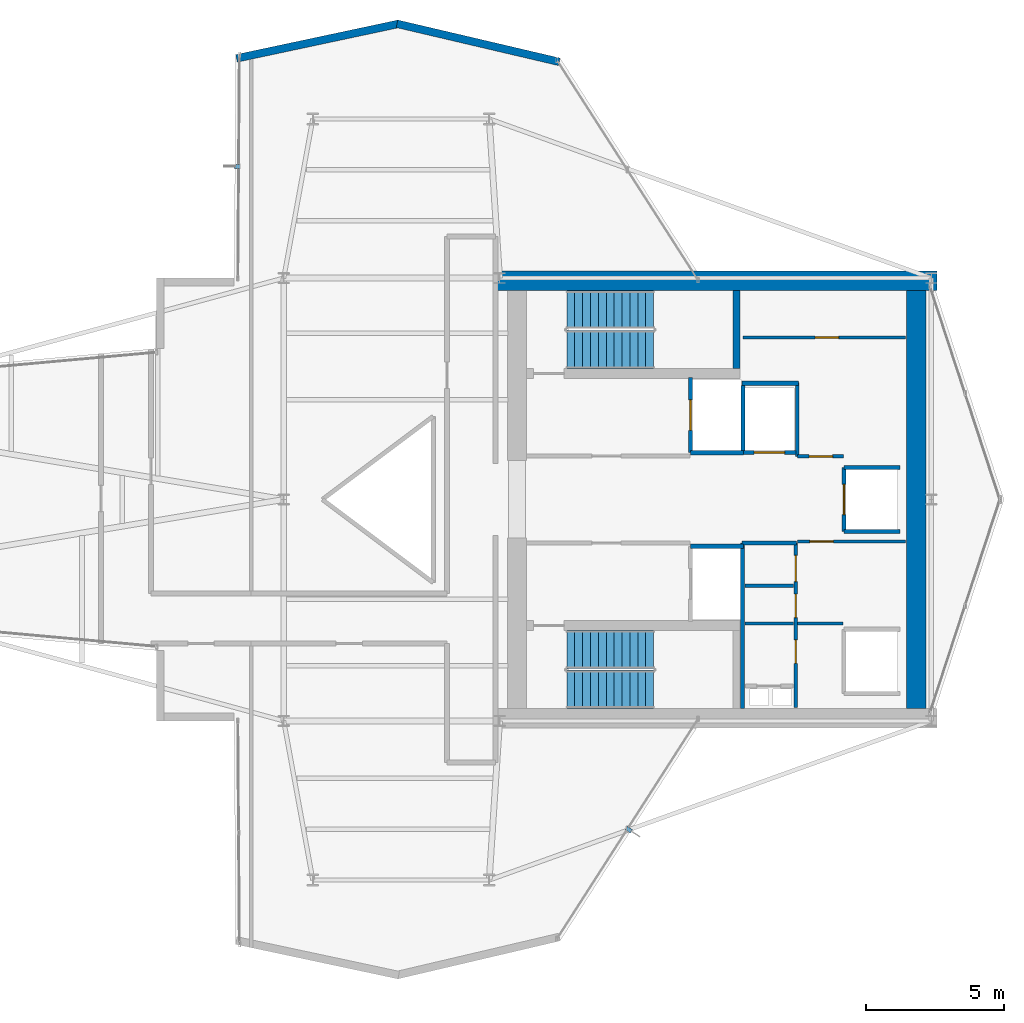
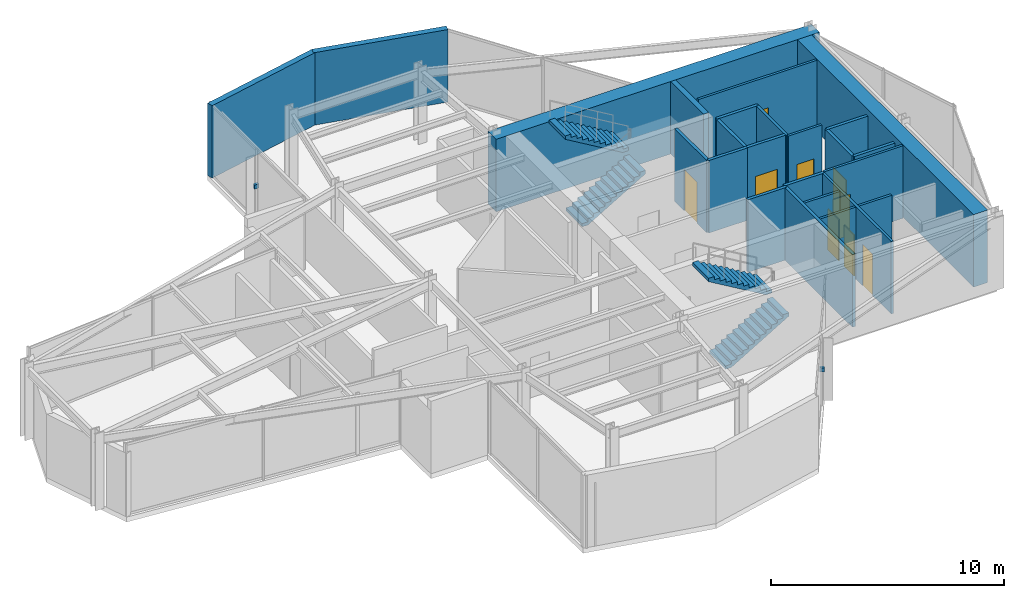
# One storey, part 22 of 23: 24 walls, 9 doors, 4 stair flights, 2 discrete accessories, 9 openings, 2 elements without a shape of their own.
"""IFC4 building model written with IfcOpenShell, lengths in metres."""

from ifc_helpers import new_model, si_unit, direction, frame, frame_2d, origin, origin_2d, place, context, subcontext, project, spatial, polyline, rectangle, outline, extrude, material, layer, layer_set, type_object, element, fill, aggregate, save


model = new_model("IFC4")

# Units and contexts
model_context = context("Model", 3, precision=1e-05, world=origin(), true_north=direction((0.0, 1.0)))
body_context = subcontext(model_context, "Body", "Model", "MODEL_VIEW")
ifc_project = project(units=[si_unit("LENGTHUNIT", "METRE"), si_unit("AREAUNIT", "SQUARE_METRE"), si_unit("VOLUMEUNIT", "CUBIC_METRE"), si_unit("PLANEANGLEUNIT", "RADIAN"), si_unit("MASSUNIT", "GRAM", prefix="KILO")], contexts=[model_context])

# Site, building, storey
site_placement = place(None, origin())
site = spatial("IfcSite", under=ifc_project, at=site_placement, CompositionType="ELEMENT")
building_placement = place(site_placement, origin())
building = spatial("IfcBuilding", under=site, at=building_placement, Name="Veymaron Broadcast Tower", CompositionType="ELEMENT")
storey_placement = place(building_placement, frame((0.0, 0.0, 195.89990234375)))
storey = spatial("IfcBuildingStorey", under=building, at=storey_placement, Name="L45", CompositionType="ELEMENT", Elevation=195.89990234375)

# Walls
ifc_material_1 = material(Name="Precast concrete C40/50", Category="concrete")
ifc_layer_1 = layer(ifc_material_1, 0.280029296875)
ifc_layer_set_1 = layer_set([ifc_layer_1], Name="Precast concrete C40/50")
wall_type_1 = type_object("IfcWallType", Name="WALL-EXT-280", PredefinedType="STANDARD", material=ifc_layer_set_1)
wall_1_placement = place(storey_placement, frame((41.15478515625, 39.813720703125, 0.0), z_axis=(0.0, 0.0, 1.0), x_axis=(-0.973574347184, 0.228370292517, 0.0)))
element("IfcWall", 1, at=wall_1_placement, inside=storey, type_object=wall_type_1, Name="L45 notched corner facade pier 6-1", PredefinedType="STANDARD", context=body_context, shape_type="SweptSolid", body=[
    extrude(rectangle(XDim=6.02099609375, YDim=0.280029296875, at=frame_2d((3.010498046875, 0.0))), origin(), (0.0, 0.0, 1.0), 3.7900390625),
])
wall_2_placement = place(storey_placement, frame((35.354248046875, 41.18798828125, 0.0), z_axis=(0.0, 0.0, 1.0), x_axis=(-0.978010564176, -0.208555355626, 0.0)))
element("IfcWall", 2, at=wall_2_placement, inside=storey, type_object=wall_type_1, Name="L45 notched corner facade pier 7-1", PredefinedType="STANDARD", context=body_context, shape_type="SweptSolid", body=[
    extrude(rectangle(XDim=5.99365234375, YDim=0.280029296875, at=frame_2d((2.996826171875, 0.0))), origin(), (0.0, 0.0, 1.0), 3.7900390625),
])

# Wall, opening, door
ifc_material_2 = material(Name="Gypsum fireboard and steel stud framing", Category="steel")
ifc_layer_2 = layer(ifc_material_2, 0.14990234375)
ifc_layer_set_2 = layer_set([ifc_layer_2], Name="Gypsum fireboard and steel stud framing")
wall_type_2 = type_object("IfcWallType", Name="WALL-FIRE-150", PredefinedType="PARTITIONING", material=ifc_layer_set_2)
wall_3_placement = place(storey_placement, frame((45.89501953125, 25.68994140625, 0.0), z_axis=(0.0, 0.0, 1.0), x_axis=(0.0, 1.0, 0.0)))
wall_3 = element("IfcWall", 3, at=wall_3_placement, inside=storey, type_object=wall_type_2, Name="L45 partition IW-L45-SHW-FFL-1", PredefinedType="PARTITIONING", context=body_context, shape_type="SweptSolid", body=[
    extrude(rectangle(XDim=2.719970703125, YDim=0.14990234375, at=frame_2d((1.35986328125, 0.0))), origin(), (0.0, 0.0, 1.0), 3.7900390625),
])
opening_1_placement = place(wall_3_placement, frame((0.81005859375, 0.0, 0.0)))
opening_1 = element("IfcOpeningElement", 4, at=opening_1_placement, cuts=wall_3, Name="Opening LD", PredefinedType="OPENING", context=body_context, shape_type="SweptSolid", body=[
    extrude(rectangle(XDim=1.10009765625, YDim=2.14990234375, at=frame_2d((0.550048828125, 1.074951171875))), frame((0.0, 0.0849609375, 0.0), z_axis=(0.0, -1.0, 0.0), x_axis=(1.0, 0.0, 0.0)), (0.0, 0.0, 1.0), 0.169921875),
])
ifc_material_3 = material(Name="Brushed stainless steel AISI 304", Category="steel")
door_type_1 = type_object("IfcDoorType", Name="DOOR-LIFT-1100", OperationType="DOUBLE_DOOR_SLIDING", PredefinedType="DOOR", material=ifc_material_3)
door_1_placement = place(opening_1_placement, frame((1.10009765625, 0.0, 0.0), z_axis=(0.0, 0.0, 1.0), x_axis=(-1.0, 0.0, 0.0)))
door_1 = element("IfcDoor", 5, at=door_1_placement, inside=storey, type_object=door_type_1, Name="L45 door LD-L45-FFL-1", OperationType="DOUBLE_DOOR_SLIDING", OverallHeight=2.14990234375, OverallWidth=1.10009765625, PredefinedType="DOOR", context=body_context, shape_type="SweptSolid", body=[
    extrude(rectangle(XDim=1.10009765625, YDim=2.14990234375, at=frame_2d((0.550048828125, 1.074951171875))), frame((0.0, 0.02490234375, 0.0), z_axis=(0.0, -1.0, 0.0), x_axis=(1.0, 0.0, 0.0)), (0.0, 0.0, 1.0), 0.050048828125),
])
fill(opening_1, door_1)

# Walls
for number, where, z_axis, x_axis, name in (
    (6, (45.89501953125, 25.68994140625, 0.0), (0.0, 0.0, 1.0), (1.0, 0.0, 0.0), "L45 partition IW-L45-SHS-FFL-1"),
    (7, (45.89501953125, 22.31005859375, 0.0), (0.0, 0.0, 1.0), (1.0, 0.0, 0.0), "L45 partition IW-L45-SHN-FFL-2"),
):
    element("IfcWall", number, at=place(storey_placement, frame(where, z_axis=z_axis, x_axis=x_axis)), inside=storey, type_object=wall_type_2, Name=name, PredefinedType="PARTITIONING", context=body_context, shape_type="SweptSolid", body=[
        extrude(rectangle(XDim=1.9150390625, YDim=0.14990234375, at=frame_2d((0.95751953125, 0.0))), origin(), (0.0, 0.0, 1.0), 3.7900390625),
    ])

# Wall, opening, door
wall_4_placement = place(storey_placement, frame((47.7900390625, 25.695068359375, 0.0), z_axis=(0.0, 0.0, 1.0), x_axis=(1.0, 0.0, 0.0)))
wall_4 = element("IfcWall", 8, at=wall_4_placement, inside=storey, type_object=wall_type_2, Name="L45 partition IW-L45-SHS-SL-1", PredefinedType="PARTITIONING", context=body_context, shape_type="SweptSolid", body=[
    extrude(rectangle(XDim=1.919921875, YDim=0.14990234375, at=frame_2d((0.9599609375, 0.0))), origin(), (0.0, 0.0, 1.0), 3.7900390625),
])
opening_2_placement = place(wall_4_placement, frame((0.409912109375, 0.0, 0.0)))
opening_2 = element("IfcOpeningElement", 9, at=opening_2_placement, cuts=wall_4, Name="Opening LD", PredefinedType="OPENING", context=body_context, shape_type="SweptSolid", body=[
    extrude(rectangle(XDim=1.10009765625, YDim=2.14990234375, at=frame_2d((0.550048828125, 1.074951171875))), frame((0.0, 0.0849609375, 0.0), z_axis=(0.0, -1.0, 0.0), x_axis=(1.0, 0.0, 0.0)), (0.0, 0.0, 1.0), 0.169921875),
])
door_2_placement = place(opening_2_placement, frame((1.10009765625, 0.0, 0.0), z_axis=(0.0, 0.0, 1.0), x_axis=(-1.0, 0.0, 0.0)))
door_2 = element("IfcDoor", 10, at=door_2_placement, inside=storey, type_object=door_type_1, Name="L45 door LD-L45-SL-1", OperationType="DOUBLE_DOOR_SLIDING", OverallHeight=2.14990234375, OverallWidth=1.10009765625, PredefinedType="DOOR", context=body_context, shape_type="SweptSolid", body=[
    extrude(rectangle(XDim=1.10009765625, YDim=2.14990234375, at=frame_2d((0.550048828125, 1.074951171875))), frame((0.0, 0.02490234375, 0.0), z_axis=(0.0, -1.0, 0.0), x_axis=(1.0, 0.0, 0.0)), (0.0, 0.0, 1.0), 0.050048828125),
])
fill(opening_2, door_2)

# Wall
wall_5_placement = place(storey_placement, frame((47.7900390625, 25.695068359375, 0.0), z_axis=(0.0, 0.0, 1.0), x_axis=(0.0, 1.0, 0.0)))
element("IfcWall", 11, at=wall_5_placement, inside=storey, type_object=wall_type_2, Name="L45 partition IW-L45-SHW-SL-1", PredefinedType="PARTITIONING", context=body_context, shape_type="SweptSolid", body=[
    extrude(rectangle(XDim=2.4150390625, YDim=0.14990234375, at=frame_2d((1.20751953125, 0.0))), origin(), (0.0, 0.0, 1.0), 3.7900390625),
])

# Wall, opening, door
wall_6_placement = place(storey_placement, frame((51.445068359375, 22.840087890625, 0.0), z_axis=(0.0, 0.0, 1.0), x_axis=(0.0, 1.0, 0.0)))
wall_6 = element("IfcWall", 12, at=wall_6_placement, inside=storey, type_object=wall_type_2, Name="L45 partition IW-L45-SHW-PM3", PredefinedType="PARTITIONING", context=body_context, shape_type="SweptSolid", body=[
    extrude(rectangle(XDim=2.31982421875, YDim=0.14990234375, at=frame_2d((1.159912109375, 0.0))), origin(), (0.0, 0.0, 1.0), 3.7900390625),
])
opening_3_placement = place(wall_6_placement, frame((0.610107421875, 0.0, 0.0)))
opening_3 = element("IfcOpeningElement", 13, at=opening_3_placement, cuts=wall_6, Name="Opening LD", PredefinedType="OPENING", context=body_context, shape_type="SweptSolid", body=[
    extrude(rectangle(XDim=1.10009765625, YDim=2.14990234375, at=frame_2d((0.550048828125, 1.074951171875))), frame((0.0, 0.0849609375, 0.0), z_axis=(0.0, -1.0, 0.0), x_axis=(1.0, 0.0, 0.0)), (0.0, 0.0, 1.0), 0.169921875),
])
door_3_placement = place(opening_3_placement, frame((1.10009765625, 0.0, 0.0), z_axis=(0.0, 0.0, 1.0), x_axis=(-1.0, 0.0, 0.0)))
door_3 = element("IfcDoor", 14, at=door_3_placement, inside=storey, type_object=door_type_1, Name="L45 door LD-L45-PM3", OperationType="DOUBLE_DOOR_SLIDING", OverallHeight=2.14990234375, OverallWidth=1.10009765625, PredefinedType="DOOR", context=body_context, shape_type="SweptSolid", body=[
    extrude(rectangle(XDim=1.10009765625, YDim=2.14990234375, at=frame_2d((0.550048828125, 1.074951171875))), frame((0.0, 0.02490234375, 0.0), z_axis=(0.0, -1.0, 0.0), x_axis=(1.0, 0.0, 0.0)), (0.0, 0.0, 1.0), 0.050048828125),
])
fill(opening_3, door_3)

# Walls
for number, where, z_axis, x_axis, name in (
    (15, (51.445068359375, 22.840087890625, 0.0), (0.0, 0.0, 1.0), (1.0, 0.0, 0.0), "L45 partition IW-L45-SHS-PM3"),
    (16, (51.445068359375, 25.159912109375, 0.0), (0.0, 0.0, 1.0), (1.0, 0.0, 0.0), "L45 partition IW-L45-SHN-PM3"),
):
    element("IfcWall", number, at=place(storey_placement, frame(where, z_axis=z_axis, x_axis=x_axis)), inside=storey, type_object=wall_type_2, Name=name, PredefinedType="PARTITIONING", context=body_context, shape_type="SweptSolid", body=[
        extrude(rectangle(XDim=2.014892578125, YDim=0.14990234375, at=frame_2d((1.00732421875, 0.0))), origin(), (0.0, 0.0, 1.0), 3.7900390625),
    ])
wall_7_placement = place(storey_placement, frame((47.760009765625, 22.425048828125, 0.0), z_axis=(0.0, 0.0, 1.0), x_axis=(1.0, 0.0, 0.0)))
element("IfcWall", 17, at=wall_7_placement, inside=storey, type_object=wall_type_2, Name="L45 partition IW-L45-SM-N", PredefinedType="PARTITIONING", context=body_context, shape_type="SweptSolid", body=[
    extrude(rectangle(XDim=1.9599609375, YDim=0.14990234375, at=frame_2d((0.97998046875, 0.0))), origin(), (0.0, 0.0, 1.0), 3.7900390625),
])
wall_8_placement = place(storey_placement, frame((47.780029296875, 16.449951171875, 0.0), z_axis=(0.0, 0.0, 1.0), x_axis=(0.0, 1.0, 0.0)))
element("IfcWall", 18, at=wall_8_placement, inside=storey, type_object=wall_type_2, Name="L45 partition IW-L45-SM-W", PredefinedType="PARTITIONING", context=body_context, shape_type="SweptSolid", body=[
    extrude(rectangle(XDim=5.97509765625, YDim=0.14990234375, at=frame_2d((2.987548828125, 0.0))), origin(), (0.0, 0.0, 1.0), 3.7900390625),
])
wall_9_placement = place(storey_placement, frame((47.760009765625, 28.199951171875, 0.0), z_axis=(0.0, 0.0, 1.0), x_axis=(1.0, 0.0, 0.0)))
element("IfcWall", 19, at=wall_9_placement, inside=storey, type_object=wall_type_2, Name="L45 partition IW-L45-F2-SW", PredefinedType="PARTITIONING", context=body_context, shape_type="SweptSolid", body=[
    extrude(rectangle(XDim=2.0400390625, YDim=0.14990234375, at=frame_2d((1.02001953125, 0.0))), origin(), (0.0, 0.0, 1.0), 3.7900390625),
])
ifc_material_4 = material(Name="Acoustic gypsum board and galvanized stud", Category="gypsum")
ifc_layer_3 = layer(ifc_material_4, 0.1201171875)
ifc_layer_set_3 = layer_set([ifc_layer_3], Name="Acoustic gypsum board and galvanized stud")
wall_type_3 = type_object("IfcWallType", Name="WALL-PART-120", PredefinedType="PARTITIONING", material=ifc_layer_set_3)
for number, where, z_axis, x_axis, name in (
    (20, (47.860107421875, 19.52001953125, 0.0), (0.0, 0.0, 1.0), (1.0, 0.0, 0.0), "L45 partition IW-L45-SM-D1"),
    (21, (47.860107421875, 20.8798828125, 0.0), (0.0, 0.0, 1.0), (1.0, 0.0, 0.0), "L45 partition IW-L45-SM-D2"),
):
    element("IfcWall", number, at=place(storey_placement, frame(where, z_axis=z_axis, x_axis=x_axis)), inside=storey, type_object=wall_type_3, Name=name, PredefinedType="PARTITIONING", context=body_context, shape_type="SweptSolid", body=[
        extrude(rectangle(XDim=1.760009765625, YDim=0.1201171875, at=frame_2d((0.8798828125, 0.0))), origin(), (0.0, 0.0, 1.0), 3.7900390625),
    ])

# Wall, openings, doors
wall_10_placement = place(storey_placement, frame((49.699951171875, 16.47998046875, 0.0), z_axis=(0.0, 0.0, 1.0), x_axis=(0.0, 1.0, 0.0)))
wall_10 = element("IfcWall", 22, at=wall_10_placement, inside=storey, type_object=wall_type_3, Name="L45 partition IW-L45-SM-E", PredefinedType="PARTITIONING", context=body_context, shape_type="SweptSolid", body=[
    extrude(rectangle(XDim=5.945068359375, YDim=0.1201171875, at=frame_2d((2.97265625, 0.0))), origin(), (0.0, 0.0, 1.0), 3.7900390625),
])
opening_4_placement = place(wall_10_placement, frame((1.60009765625, 0.0, 0.0)))
opening_4 = element("IfcOpeningElement", 23, at=opening_4_placement, cuts=wall_10, Name="Opening ID-WC1", PredefinedType="OPENING", context=body_context, shape_type="SweptSolid", body=[
    extrude(rectangle(XDim=0.85009765625, YDim=2.14990234375, at=frame_2d((0.425048828125, 1.074951171875))), frame((0.0, 0.070068359375, 0.0), z_axis=(0.0, -1.0, 0.0), x_axis=(1.0, 0.0, 0.0)), (0.0, 0.0, 1.0), 0.14013671875),
])
opening_5_placement = place(wall_10_placement, frame((3.25, 0.0, 0.0)))
opening_5 = element("IfcOpeningElement", 24, at=opening_5_placement, cuts=wall_10, Name="Opening ID-WC1", PredefinedType="OPENING", context=body_context, shape_type="SweptSolid", body=[
    extrude(rectangle(XDim=0.85009765625, YDim=2.14990234375, at=frame_2d((0.425048828125, 1.074951171875))), frame((0.0, 0.070068359375, 0.0), z_axis=(0.0, -1.0, 0.0), x_axis=(1.0, 0.0, 0.0)), (0.0, 0.0, 1.0), 0.14013671875),
])
opening_6_placement = place(wall_10_placement, frame((4.550048828125, 0.0, 0.0)))
opening_6 = element("IfcOpeningElement", 25, at=opening_6_placement, cuts=wall_10, Name="Opening ID-RM1", PredefinedType="OPENING", context=body_context, shape_type="SweptSolid", body=[
    extrude(rectangle(XDim=0.949951171875, YDim=2.14990234375, at=frame_2d((0.47509765625, 1.074951171875))), frame((0.0, 0.070068359375, 0.0), z_axis=(0.0, -1.0, 0.0), x_axis=(1.0, 0.0, 0.0)), (0.0, 0.0, 1.0), 0.14013671875),
])
ifc_material_5 = material(Name="Moisture-resistant high-pressure laminate timber", Category="wood")
door_type_2 = type_object("IfcDoorType", Name="DOOR-INT-850", OperationType="NOTDEFINED", PredefinedType="DOOR", material=ifc_material_5)
door_4_placement = place(opening_4_placement, frame((0.85009765625, 0.0, 0.0), z_axis=(0.0, 0.0, 1.0), x_axis=(-1.0, 0.0, 0.0)))
door_4 = element("IfcDoor", 26, at=door_4_placement, inside=storey, type_object=door_type_2, Name="L45 door DR-L45-JST", OperationType="SINGLE_SWING_LEFT", OverallHeight=2.14990234375, OverallWidth=0.85009765625, PredefinedType="DOOR", context=body_context, shape_type="SweptSolid", body=[
    extrude(rectangle(XDim=0.85009765625, YDim=2.14990234375, at=frame_2d((0.425048828125, 1.074951171875))), frame((0.0, 0.02490234375, 0.0), z_axis=(0.0, -1.0, 0.0), x_axis=(1.0, 0.0, 0.0)), (0.0, 0.0, 1.0), 0.050048828125),
])
fill(opening_4, door_4)
door_5_placement = place(opening_5_placement, frame((0.85009765625, 0.0, 0.0), z_axis=(0.0, 0.0, 1.0), x_axis=(-1.0, 0.0, 0.0)))
door_5 = element("IfcDoor", 27, at=door_5_placement, inside=storey, type_object=door_type_2, Name="L45 door DR-L45-SWC", OperationType="SINGLE_SWING_RIGHT", OverallHeight=2.14990234375, OverallWidth=0.85009765625, PredefinedType="DOOR", context=body_context, shape_type="SweptSolid", body=[
    extrude(rectangle(XDim=0.85009765625, YDim=2.14990234375, at=frame_2d((0.425048828125, 1.074951171875))), frame((0.0, 0.02490234375, 0.0), z_axis=(0.0, -1.0, 0.0), x_axis=(1.0, 0.0, 0.0)), (0.0, 0.0, 1.0), 0.050048828125),
])
fill(opening_5, door_5)
ifc_material_6 = material(Name="Acoustic solid-core European oak veneer timber", Category="wood")
door_type_3 = type_object("IfcDoorType", Name="DOOR-INT-950", OperationType="NOTDEFINED", PredefinedType="DOOR", material=ifc_material_6)
door_6_placement = place(opening_6_placement, frame((0.949951171875, 0.0, 0.0), z_axis=(0.0, 0.0, 1.0), x_axis=(-1.0, 0.0, 0.0)))
door_6 = element("IfcDoor", 28, at=door_6_placement, inside=storey, type_object=door_type_3, Name="L45 door DR-L45-AWC", OperationType="SINGLE_SWING_LEFT", OverallHeight=2.14990234375, OverallWidth=0.949951171875, PredefinedType="DOOR", context=body_context, shape_type="SweptSolid", body=[
    extrude(rectangle(XDim=0.949951171875, YDim=2.14990234375, at=frame_2d((0.47509765625, 1.074951171875))), frame((0.0, 0.02490234375, 0.0), z_axis=(0.0, -1.0, 0.0), x_axis=(1.0, 0.0, 0.0)), (0.0, 0.0, 1.0), 0.050048828125),
])
fill(opening_6, door_6)

# Wall, opening, door
wall_11_placement = place(storey_placement, frame((49.760009765625, 22.47998046875, 0.0), z_axis=(0.0, 0.0, 1.0), x_axis=(1.0, 0.0, 0.0)))
wall_11 = element("IfcWall", 29, at=wall_11_placement, inside=storey, type_object=wall_type_3, Name="L45 partition IW-L45-F2S-N", PredefinedType="PARTITIONING", context=body_context, shape_type="SweptSolid", body=[
    extrude(rectangle(XDim=3.89990234375, YDim=0.1201171875, at=frame_2d((1.949951171875, 0.0))), origin(), (0.0, 0.0, 1.0), 3.7900390625),
])
opening_7_placement = place(wall_11_placement, frame((0.449951171875, 0.0, 0.0)))
opening_7 = element("IfcOpeningElement", 30, at=opening_7_placement, cuts=wall_11, Name="Opening ID-WC1", PredefinedType="OPENING", context=body_context, shape_type="SweptSolid", body=[
    extrude(rectangle(XDim=0.85009765625, YDim=2.14990234375, at=frame_2d((0.425048828125, 1.074951171875))), frame((0.0, 0.070068359375, 0.0), z_axis=(0.0, -1.0, 0.0), x_axis=(1.0, 0.0, 0.0)), (0.0, 0.0, 1.0), 0.14013671875),
])
door_7_placement = place(opening_7_placement, frame((0.85009765625, 0.0, 0.0), z_axis=(0.0, 0.0, 1.0), x_axis=(-1.0, 0.0, 0.0)))
door_7 = element("IfcDoor", 31, at=door_7_placement, inside=storey, type_object=door_type_2, Name="L45 door DR-L45-F2S", OperationType="SINGLE_SWING_LEFT", OverallHeight=2.14990234375, OverallWidth=0.85009765625, PredefinedType="DOOR", context=body_context, shape_type="SweptSolid", body=[
    extrude(rectangle(XDim=0.85009765625, YDim=2.14990234375, at=frame_2d((0.425048828125, 1.074951171875))), frame((0.0, 0.02490234375, 0.0), z_axis=(0.0, -1.0, 0.0), x_axis=(1.0, 0.0, 0.0)), (0.0, 0.0, 1.0), 0.050048828125),
])
fill(opening_7, door_7)

# Walls
wall_12_placement = place(storey_placement, frame((49.760009765625, 19.52001953125, 0.0), z_axis=(0.0, 0.0, 1.0), x_axis=(1.0, 0.0, 0.0)))
element("IfcWall", 32, at=wall_12_placement, inside=storey, type_object=wall_type_3, Name="L45 partition IW-L45-F2S-S", PredefinedType="PARTITIONING", context=body_context, shape_type="SweptSolid", body=[
    extrude(rectangle(XDim=1.639892578125, YDim=0.1201171875, at=frame_2d((0.81982421875, 0.0))), origin(), (0.0, 0.0, 1.0), 3.7900390625),
])
wall_13_placement = place(storey_placement, frame((49.760009765625, 25.56005859375, 0.0), z_axis=(0.0, 0.0, 1.0), x_axis=(0.0, 1.0, 0.0)))
element("IfcWall", 33, at=wall_13_placement, inside=storey, type_object=wall_type_3, Name="L45 partition IW-L45-F2-W1", PredefinedType="PARTITIONING", context=body_context, shape_type="SweptSolid", body=[
    extrude(rectangle(XDim=2.659912109375, YDim=0.1201171875, at=frame_2d((1.330078125, 0.0))), origin(), (0.0, 0.0, 1.0), 3.7900390625),
])

# Wall, opening, door
wall_14_placement = place(storey_placement, frame((49.760009765625, 25.56005859375, 0.0), z_axis=(0.0, 0.0, 1.0), x_axis=(1.0, 0.0, 0.0)))
wall_14 = element("IfcWall", 34, at=wall_14_placement, inside=storey, type_object=wall_type_3, Name="L45 partition IW-L45-F2-S", PredefinedType="PARTITIONING", context=body_context, shape_type="SweptSolid", body=[
    extrude(rectangle(XDim=1.659912109375, YDim=0.1201171875, at=frame_2d((0.830078125, 0.0))), origin(), (0.0, 0.0, 1.0), 3.7900390625),
])
opening_8_placement = place(wall_14_placement, frame((0.419921875, 0.0, 0.0)))
opening_8 = element("IfcOpeningElement", 35, at=opening_8_placement, cuts=wall_14, Name="Opening ID-WC1", PredefinedType="OPENING", context=body_context, shape_type="SweptSolid", body=[
    extrude(rectangle(XDim=0.85009765625, YDim=2.14990234375, at=frame_2d((0.425048828125, 1.074951171875))), frame((0.0, 0.070068359375, 0.0), z_axis=(0.0, -1.0, 0.0), x_axis=(1.0, 0.0, 0.0)), (0.0, 0.0, 1.0), 0.14013671875),
])
door_8_placement = place(opening_8_placement, origin())
door_8 = element("IfcDoor", 36, at=door_8_placement, inside=storey, type_object=door_type_2, Name="L45 door DR-L45-F2A", OperationType="SINGLE_SWING_LEFT", OverallHeight=2.14990234375, OverallWidth=0.85009765625, PredefinedType="DOOR", context=body_context, shape_type="SweptSolid", body=[
    extrude(rectangle(XDim=0.85009765625, YDim=2.14990234375, at=frame_2d((0.425048828125, 1.074951171875))), frame((0.0, 0.02490234375, 0.0), z_axis=(0.0, -1.0, 0.0), x_axis=(1.0, 0.0, 0.0)), (0.0, 0.0, 1.0), 0.050048828125),
])
fill(opening_8, door_8)

wall_15_placement = place(storey_placement, frame((47.800048828125, 29.85009765625, 0.0), z_axis=(0.0, 0.0, 1.0), x_axis=(1.0, 0.0, 0.0)))
wall_15 = element("IfcWall", 37, at=wall_15_placement, inside=storey, type_object=wall_type_3, Name="L45 partition IW-L45-F2-M", PredefinedType="PARTITIONING", context=body_context, shape_type="SweptSolid", body=[
    extrude(rectangle(XDim=5.85986328125, YDim=0.1201171875, at=frame_2d((2.929931640625, 0.0))), origin(), (0.0, 0.0, 1.0), 3.7900390625),
])
opening_9_placement = place(wall_15_placement, frame((2.60009765625, 0.0, 0.0)))
opening_9 = element("IfcOpeningElement", 38, at=opening_9_placement, cuts=wall_15, Name="Opening ID-WC1", PredefinedType="OPENING", context=body_context, shape_type="SweptSolid", body=[
    extrude(rectangle(XDim=0.85009765625, YDim=2.14990234375, at=frame_2d((0.425048828125, 1.074951171875))), frame((0.0, 0.070068359375, 0.0), z_axis=(0.0, -1.0, 0.0), x_axis=(1.0, 0.0, 0.0)), (0.0, 0.0, 1.0), 0.14013671875),
])
door_9_placement = place(opening_9_placement, origin())
door_9 = element("IfcDoor", 39, at=door_9_placement, inside=storey, type_object=door_type_2, Name="L45 door DR-L45-F2B", OperationType="SINGLE_SWING_LEFT", OverallHeight=2.14990234375, OverallWidth=0.85009765625, PredefinedType="DOOR", context=body_context, shape_type="SweptSolid", body=[
    extrude(rectangle(XDim=0.85009765625, YDim=2.14990234375, at=frame_2d((0.425048828125, 1.074951171875))), frame((0.0, 0.02490234375, 0.0), z_axis=(0.0, -1.0, 0.0), x_axis=(1.0, 0.0, 0.0)), (0.0, 0.0, 1.0), 0.050048828125),
])
fill(opening_9, door_9)

# Walls
ifc_material_7 = material(Name="Concrete C50/60", Category="concrete")
ifc_layer_4 = layer(ifc_material_7, 0.25)
ifc_layer_set_4 = layer_set([ifc_layer_4], Name="Concrete C50/60")
wall_type_4 = type_object("IfcWallType", Name="WALL-SHEAR-250", PredefinedType="SHEAR", material=ifc_layer_set_4)
wall_16_placement = place(storey_placement, frame((47.56494140625, 28.72998046875, 0.0), z_axis=(0.0, 0.0, 1.0), x_axis=(0.0, 1.0, 0.0)))
element("IfcWall", 40, at=wall_16_placement, inside=storey, type_object=wall_type_4, Name="L45 Core Wall north stair east shear", PredefinedType="SHEAR", context=body_context, shape_type="SweptSolid", body=[
    extrude(rectangle(XDim=2.820068359375, YDim=0.25, at=frame_2d((1.41015625, 0.0))), origin(), (0.0, 0.0, 1.0), 3.7900390625),
])
ifc_material_8 = material(Name="Concrete C60/75", Category="concrete")
ifc_layer_5 = layer(ifc_material_8, 0.699951171875)
ifc_layer_set_5 = layer_set([ifc_layer_5], Name="Concrete C60/75")
wall_type_5 = type_object("IfcWallType", Name="WALL-SHEAR-700", PredefinedType="SHEAR", material=ifc_layer_set_5)
wall_17_placement = place(storey_placement, frame((38.800048828125, 31.89990234375, 0.0), z_axis=(0.0, 0.0, 1.0), x_axis=(1.0, 0.0, 0.0)))
element("IfcWall", 41, at=wall_17_placement, inside=storey, type_object=wall_type_5, Name="L45 Core Wall north shear", PredefinedType="SHEAR", context=body_context, shape_type="SweptSolid", body=[
    extrude(rectangle(XDim=16.0, YDim=0.699951171875, at=frame_2d((8.0, 0.0))), origin(), (0.0, 0.0, 1.0), 3.7900390625),
])
wall_18_placement = place(storey_placement, frame((54.050048828125, 16.449951171875, 0.0), z_axis=(0.0, 0.0, 1.0), x_axis=(0.0, 1.0, 0.0)))
element("IfcWall", 42, at=wall_18_placement, inside=storey, type_object=wall_type_5, Name="L45 Core Wall east shear", PredefinedType="SHEAR", context=body_context, shape_type="SweptSolid", body=[
    extrude(rectangle(XDim=15.10009765625, YDim=0.699951171875, at=frame_2d((7.550048828125, 0.0))), origin(), (0.0, 0.0, 1.0), 3.7900390625),
])

# Stair, stair flights
stair_type_1 = type_object("IfcStairType", Name="STAIR-CORE-1", PredefinedType="HALF_TURN_STAIR", material=ifc_material_7)
stair_1_placement = place(storey_placement, origin())
stair_1 = element("IfcStair", 43, at=stair_1_placement, inside=storey, type_object=stair_type_1, Name="L45 North protected dog-leg exit stair ST1", PredefinedType="HALF_TURN_STAIR")
ifc_material_9 = material(Name="Precast concrete C50/60", Category="concrete")
stair_flight_type = type_object("IfcStairFlightType", Name="FLT-CORE-RC", PredefinedType="STRAIGHT", material=ifc_material_9)
stair_flight_1_placement = place(storey_placement, frame((41.429931640625, 29.419921875, 0.0), z_axis=(0.0, 0.0, 1.0), x_axis=(1.0, 0.0, 0.0)))
stair_flight_1 = element("IfcStairFlight", 44, at=stair_flight_1_placement, type_object=stair_flight_type, Name="ST1 flight 1", NumberOfRisers=12, NumberOfTreads=11, PredefinedType="STRAIGHT", RiserHeight=0.16875, TreadLength=0.285, context=body_context, shape_type="SweptSolid", body=[
    extrude(outline(polyline([(0.0, 0.0), (0.0, 0.168701171875), (0.284912109375, 0.168701171875), (0.284912109375, 0.33740234375), (0.570068359375, 0.33740234375), (0.570068359375, 0.50634765625), (0.85498046875, 0.50634765625), (0.85498046875, 0.675048828125), (1.139892578125, 0.675048828125), (1.139892578125, 0.84375), (1.425048828125, 0.84375), (1.425048828125, 1.012451171875), (1.7099609375, 1.012451171875), (1.7099609375, 1.18115234375), (1.9951171875, 1.18115234375), (1.9951171875, 1.35009765625), (2.280029296875, 1.35009765625), (2.280029296875, 1.518798828125), (2.56494140625, 1.518798828125), (2.56494140625, 1.6875), (2.85009765625, 1.6875), (2.85009765625, 1.856201171875), (3.135009765625, 1.856201171875), (3.135009765625, 2.02490234375), (3.135009765625, 1.68212890625), (0.294189453125, 0.0), (0.0, 0.0)])), frame((0.0, 0.68994140625, 0.0), z_axis=(0.0, -1.0, 0.0), x_axis=(1.0, 0.0, 0.0)), (0.0, 0.0, 1.0), 1.3798828125),
])
stair_flight_2_placement = place(storey_placement, frame((44.56494140625, 30.860107421875, 2.025146484375), z_axis=(0.0, 0.0, 1.0), x_axis=(-1.0, 0.0, 0.0)))
stair_flight_2 = element("IfcStairFlight", 45, at=stair_flight_2_placement, type_object=stair_flight_type, Name="ST1 flight 2", NumberOfRisers=12, NumberOfTreads=11, PredefinedType="STRAIGHT", RiserHeight=0.16875, TreadLength=0.285, context=body_context, shape_type="SweptSolid", body=[
    extrude(outline(polyline([(0.0, 0.0), (0.0, 0.168701171875), (0.284912109375, 0.168701171875), (0.284912109375, 0.33740234375), (0.570068359375, 0.33740234375), (0.570068359375, 0.50634765625), (0.85498046875, 0.50634765625), (0.85498046875, 0.675048828125), (1.139892578125, 0.675048828125), (1.139892578125, 0.84375), (1.425048828125, 0.84375), (1.425048828125, 1.012451171875), (1.7099609375, 1.012451171875), (1.7099609375, 1.18115234375), (1.9951171875, 1.18115234375), (1.9951171875, 1.35009765625), (2.280029296875, 1.35009765625), (2.280029296875, 1.518798828125), (2.56494140625, 1.518798828125), (2.56494140625, 1.6875), (2.85009765625, 1.6875), (2.85009765625, 1.856201171875), (3.135009765625, 1.856201171875), (3.135009765625, 2.02490234375), (3.135009765625, 1.68212890625), (0.294189453125, 0.0), (0.0, 0.0)])), frame((0.0, 0.68994140625, 0.0), z_axis=(0.0, -1.0, 0.0), x_axis=(1.0, 0.0, 0.0)), (0.0, 0.0, 1.0), 1.3798828125),
])
aggregate(stair_1, [stair_flight_1, stair_flight_2])

stair_type_2 = type_object("IfcStairType", Name="STAIR-CORE-2", PredefinedType="HALF_TURN_STAIR", material=ifc_material_7)
stair_2_placement = place(storey_placement, origin())
stair_2 = element("IfcStair", 46, at=stair_2_placement, inside=storey, type_object=stair_type_2, Name="L45 South protected dog-leg exit stair ST2", PredefinedType="HALF_TURN_STAIR")
stair_flight_3_placement = place(storey_placement, frame((41.429931640625, 17.139892578125, 0.0), z_axis=(0.0, 0.0, 1.0), x_axis=(1.0, 0.0, 0.0)))
stair_flight_3 = element("IfcStairFlight", 47, at=stair_flight_3_placement, type_object=stair_flight_type, Name="ST2 flight 1", NumberOfRisers=12, NumberOfTreads=11, PredefinedType="STRAIGHT", RiserHeight=0.16875, TreadLength=0.285, context=body_context, shape_type="SweptSolid", body=[
    extrude(outline(polyline([(0.0, 0.0), (0.0, 0.168701171875), (0.284912109375, 0.168701171875), (0.284912109375, 0.33740234375), (0.570068359375, 0.33740234375), (0.570068359375, 0.50634765625), (0.85498046875, 0.50634765625), (0.85498046875, 0.675048828125), (1.139892578125, 0.675048828125), (1.139892578125, 0.84375), (1.425048828125, 0.84375), (1.425048828125, 1.012451171875), (1.7099609375, 1.012451171875), (1.7099609375, 1.18115234375), (1.9951171875, 1.18115234375), (1.9951171875, 1.35009765625), (2.280029296875, 1.35009765625), (2.280029296875, 1.518798828125), (2.56494140625, 1.518798828125), (2.56494140625, 1.6875), (2.85009765625, 1.6875), (2.85009765625, 1.856201171875), (3.135009765625, 1.856201171875), (3.135009765625, 2.02490234375), (3.135009765625, 1.68212890625), (0.294189453125, 0.0), (0.0, 0.0)])), frame((0.0, 0.68994140625, 0.0), z_axis=(0.0, -1.0, 0.0), x_axis=(1.0, 0.0, 0.0)), (0.0, 0.0, 1.0), 1.3798828125),
])
stair_flight_4_placement = place(storey_placement, frame((44.56494140625, 18.580078125, 2.025146484375), z_axis=(0.0, 0.0, 1.0), x_axis=(-1.0, 0.0, 0.0)))
stair_flight_4 = element("IfcStairFlight", 48, at=stair_flight_4_placement, type_object=stair_flight_type, Name="ST2 flight 2", NumberOfRisers=12, NumberOfTreads=11, PredefinedType="STRAIGHT", RiserHeight=0.16875, TreadLength=0.285, context=body_context, shape_type="SweptSolid", body=[
    extrude(outline(polyline([(0.0, 0.0), (0.0, 0.168701171875), (0.284912109375, 0.168701171875), (0.284912109375, 0.33740234375), (0.570068359375, 0.33740234375), (0.570068359375, 0.50634765625), (0.85498046875, 0.50634765625), (0.85498046875, 0.675048828125), (1.139892578125, 0.675048828125), (1.139892578125, 0.84375), (1.425048828125, 0.84375), (1.425048828125, 1.012451171875), (1.7099609375, 1.012451171875), (1.7099609375, 1.18115234375), (1.9951171875, 1.18115234375), (1.9951171875, 1.35009765625), (2.280029296875, 1.35009765625), (2.280029296875, 1.518798828125), (2.56494140625, 1.518798828125), (2.56494140625, 1.6875), (2.85009765625, 1.6875), (2.85009765625, 1.856201171875), (3.135009765625, 1.856201171875), (3.135009765625, 2.02490234375), (3.135009765625, 1.68212890625), (0.294189453125, 0.0), (0.0, 0.0)])), frame((0.0, 0.68994140625, 0.0), z_axis=(0.0, -1.0, 0.0), x_axis=(1.0, 0.0, 0.0)), (0.0, 0.0, 1.0), 1.3798828125),
])
aggregate(stair_2, [stair_flight_3, stair_flight_4])

# Discrete accessories
ifc_material_10 = material(Name="Austenitic stainless steel AISI 316L", Category="steel")
ifc_layer_6 = layer(ifc_material_10, 0.1201171875)
ifc_layer_set_6 = layer_set([ifc_layer_6], Name="Austenitic stainless steel AISI 316L")
discrete_accessory_type = type_object("IfcDiscreteAccessoryType", Name="ACC-BRKT-SS1", PredefinedType="BRACKET", material=ifc_layer_set_6)
for number, where, z_axis, x_axis, name in (
    (49, (29.514404296875, 36.036865234375, 1.78515625), (0.0, 0.0, 1.0), (-0.999974521755, 0.007138336016, 0.0), "CW-L45-E8-1 fin bracket 1"),
    (50, (43.66943359375, 12.068115234375, 1.78515625), (0.0, 0.0, 1.0), (0.841689886147, -0.539961235236, 0.0), "CW-L45-E20-1 fin bracket 1"),
):
    element("IfcDiscreteAccessory", number, at=place(storey_placement, frame(where, z_axis=z_axis, x_axis=x_axis)), inside=storey, type_object=discrete_accessory_type, Name=name, PredefinedType="BRACKET", context=body_context, shape_type="SweptSolid", body=[
        extrude(rectangle(XDim=0.219970703125, YDim=0.139892578125, at=origin_2d()), origin(), (0.0, 0.0, 1.0), 0.219970703125),
    ])

save(model, "model.ifc")
